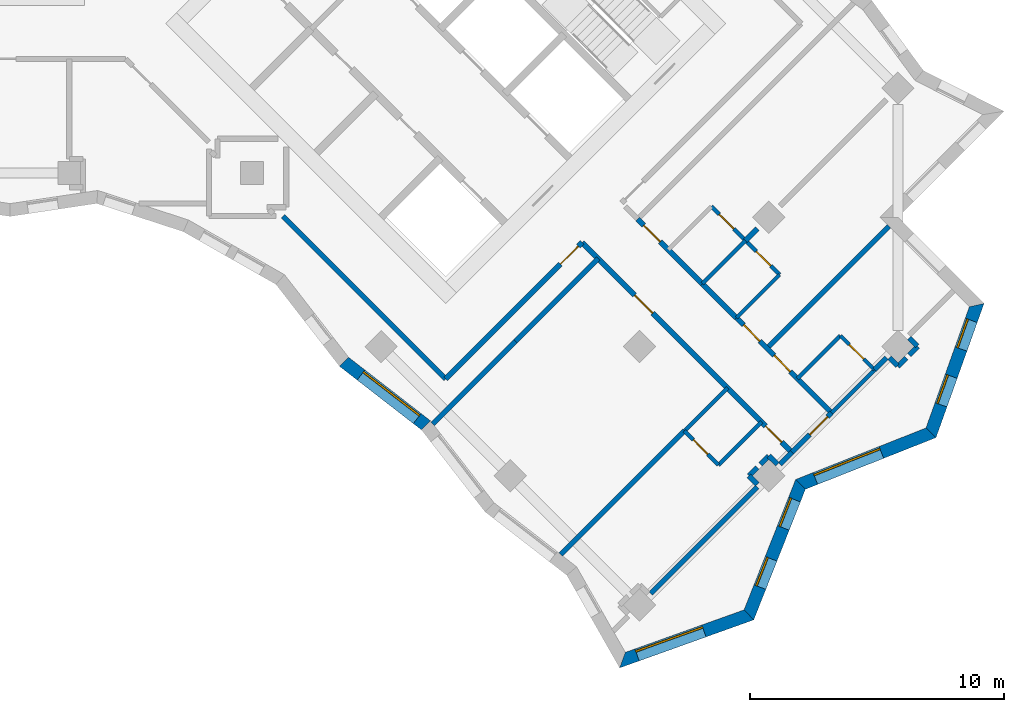
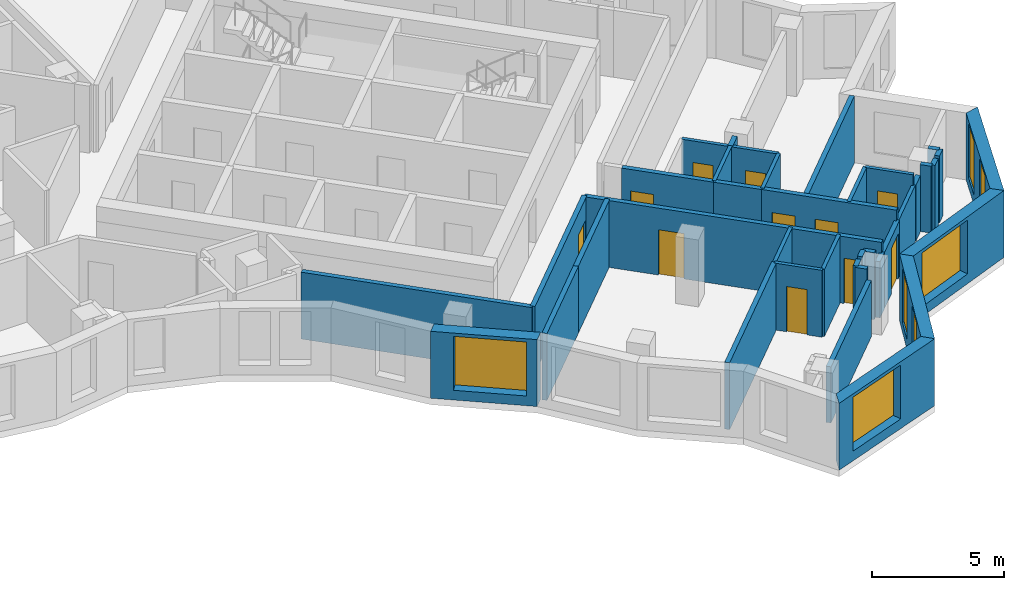
# One storey, part 8 of 12: 37 walls, 11 doors, 7 windows, 18 openings.
"""IFC4 building model written with IfcOpenShell, lengths in metres."""

from ifc_helpers import new_model, si_unit, direction, frame, frame_2d, origin, place, context, subcontext, project, spatial, polyline, rectangle, outline, extrude, material, layer, layer_set, type_object, element, fill, save


model = new_model("IFC4")

# Units and contexts
model_context = context("Model", 3, precision=1e-05, world=origin(), true_north=direction((0.0, 1.0)))
body_context = subcontext(model_context, "Body", "Model", "MODEL_VIEW")
ifc_project = project(units=[si_unit("LENGTHUNIT", "METRE"), si_unit("AREAUNIT", "SQUARE_METRE"), si_unit("VOLUMEUNIT", "CUBIC_METRE"), si_unit("PLANEANGLEUNIT", "RADIAN"), si_unit("MASSUNIT", "GRAM", prefix="KILO")], contexts=[model_context])

# Site, building, storey
site_placement = place(None, origin())
site = spatial("IfcSite", under=ifc_project, at=site_placement, CompositionType="ELEMENT")
building_placement = place(site_placement, origin())
building = spatial("IfcBuilding", under=site, at=building_placement, Name="Windrow Commons", CompositionType="ELEMENT")
storey_placement = place(building_placement, frame((0.0, 0.0, 159.2)))
storey = spatial("IfcBuildingStorey", under=building, at=storey_placement, Name="L43", CompositionType="ELEMENT", Elevation=159.2)

# Wall, opening, window
ifc_material_1 = material(Name="Brick masonry, red clay brick", Category="masonry")
ifc_layer_1 = layer(ifc_material_1, 0.5)
ifc_layer_set_1 = layer_set([ifc_layer_1], Name="Brick facade wall 500")
wall_type_1 = type_object("IfcWallType", Name="Brick facade wall 500", PredefinedType="SOLIDWALL", material=ifc_layer_set_1)
wall_1_placement = place(storey_placement, frame((93.8006, 24.0022, 0.0), z_axis=(0.0, 0.0, 1.0), x_axis=(0.9414496388, 0.3371536411, 0.0)))
wall_1 = element("IfcWall", 1, at=wall_1_placement, inside=storey, type_object=wall_type_1, Name="Brick facade wall L43 1", PredefinedType="SOLIDWALL", context=body_context, shape_type="SweptSolid", body=[
    extrude(outline(polyline([(-0.21, -0.25), (5.4066, -0.25), (5.1803, 0.25), (0.21, 0.25), (-0.21, -0.25)])), origin(), (0.0, 0.0, 1.0), 3.1),
])
opening_1_placement = place(wall_1_placement, frame((0.6104, 0.0, 0.45)))
opening_1 = element("IfcOpeningElement", 2, at=opening_1_placement, cuts=wall_1, Name="Opening W1U", PredefinedType="OPENING", context=body_context, shape_type="SweptSolid", body=[
    extrude(rectangle(XDim=2.8, YDim=2.5, at=frame_2d((1.4, 1.25))), frame((0.0, 0.26, 0.0), z_axis=(0.0, -1.0, 0.0), x_axis=(1.0, 0.0, 0.0)), (0.0, 0.0, 1.0), 0.52),
])
ifc_material_2 = material(Name="Clear float glass in anodised aluminium frame", Category="aluminium")
window_type_1 = type_object("IfcWindowType", Name="Window W1U bedroom 2800x2500", PartitioningType="SINGLE_PANEL", PredefinedType="WINDOW", material=ifc_material_2)
window_1_placement = place(opening_1_placement, origin())
window_1 = element("IfcWindow", 3, at=window_1_placement, inside=storey, type_object=window_type_1, Name="Window L43 1.1", OverallHeight=2.5, OverallWidth=2.8, PartitioningType="SINGLE_PANEL", PredefinedType="WINDOW", context=body_context, shape_type="SweptSolid", body=[
    extrude(rectangle(XDim=2.8, YDim=2.5, at=frame_2d((1.4, 1.25))), frame((0.0, 0.18, 0.0), z_axis=(0.0, -1.0, 0.0), x_axis=(1.0, 0.0, 0.0)), (0.0, 0.0, 1.0), 0.06),
])
fill(opening_1, window_1)

# Wall, openings, windows
wall_2_placement = place(storey_placement, frame((98.7841, 25.7869, 0.0), z_axis=(0.0, 0.0, 1.0), x_axis=(0.3677363656, 0.9299300863, 0.0)))
wall_2 = element("IfcWall", 4, at=wall_2_placement, inside=storey, type_object=wall_type_1, Name="Brick facade wall L43 2", PredefinedType="SOLIDWALL", context=body_context, shape_type="SweptSolid", body=[
    extrude(outline(polyline([(-0.1132, -0.25), (5.4209, -0.25), (5.6375, 0.25), (0.1132, 0.25), (-0.1132, -0.25)])), origin(), (0.0, 0.0, 1.0), 3.1),
])
opening_2_placement = place(wall_2_placement, frame((1.1766, 0.0, 0.45)))
opening_2 = element("IfcOpeningElement", 5, at=opening_2_placement, cuts=wall_2, Name="Opening W7E", PredefinedType="OPENING", context=body_context, shape_type="SweptSolid", body=[
    extrude(rectangle(XDim=1.2, YDim=2.5, at=frame_2d((0.6, 1.25))), frame((0.0, 0.26, 0.0), z_axis=(0.0, -1.0, 0.0), x_axis=(1.0, 0.0, 0.0)), (0.0, 0.0, 1.0), 0.52),
])
opening_3_placement = place(wall_2_placement, frame((3.6847, 0.0, 0.45)))
opening_3 = element("IfcOpeningElement", 6, at=opening_3_placement, cuts=wall_2, Name="Opening W7E", PredefinedType="OPENING", context=body_context, shape_type="SweptSolid", body=[
    extrude(rectangle(XDim=1.2, YDim=2.5, at=frame_2d((0.6, 1.25))), frame((0.0, 0.26, 0.0), z_axis=(0.0, -1.0, 0.0), x_axis=(1.0, 0.0, 0.0)), (0.0, 0.0, 1.0), 0.52),
])
ifc_material_3 = material(Name="Clear float glass in anodised aluminium frame", Category="aluminium")
window_type_2 = type_object("IfcWindowType", Name="Window W7 notch 1200x2500", PartitioningType="SINGLE_PANEL", PredefinedType="WINDOW", material=ifc_material_3)
window_2_placement = place(opening_2_placement, origin())
window_2 = element("IfcWindow", 7, at=window_2_placement, inside=storey, type_object=window_type_2, Name="Window L43 2.1", OverallHeight=2.5, OverallWidth=1.2, PartitioningType="SINGLE_PANEL", PredefinedType="WINDOW", context=body_context, shape_type="SweptSolid", body=[
    extrude(rectangle(XDim=1.2, YDim=2.5, at=frame_2d((0.6, 1.25))), frame((0.0, 0.18, 0.0), z_axis=(0.0, -1.0, 0.0), x_axis=(1.0, 0.0, 0.0)), (0.0, 0.0, 1.0), 0.06),
])
fill(opening_2, window_2)
window_3_placement = place(opening_3_placement, origin())
window_3 = element("IfcWindow", 8, at=window_3_placement, inside=storey, type_object=window_type_2, Name="Window L43 2.2", OverallHeight=2.5, OverallWidth=1.2, PartitioningType="SINGLE_PANEL", PredefinedType="WINDOW", context=body_context, shape_type="SweptSolid", body=[
    extrude(rectangle(XDim=1.2, YDim=2.5, at=frame_2d((0.6, 1.25))), frame((0.0, 0.18, 0.0), z_axis=(0.0, -1.0, 0.0), x_axis=(1.0, 0.0, 0.0)), (0.0, 0.0, 1.0), 0.06),
])
fill(opening_3, window_3)

# Wall, opening, window
wall_3_placement = place(storey_placement, frame((100.8174, 30.9287, 0.0), z_axis=(0.0, 0.0, 1.0), x_axis=(0.9299300863, 0.3677363656, 0.0)))
wall_3 = element("IfcWall", 9, at=wall_3_placement, inside=storey, type_object=wall_type_1, Name="Brick facade wall L43 3", PredefinedType="SOLIDWALL", context=body_context, shape_type="SweptSolid", body=[
    extrude(outline(polyline([(0.1083, -0.25), (5.6424, -0.25), (5.416, 0.25), (-0.1083, 0.25), (0.1083, -0.25)])), origin(), (0.0, 0.0, 1.0), 3.1),
])
opening_4_placement = place(wall_3_placement, frame((0.6263, 0.0, 0.45)))
opening_4 = element("IfcOpeningElement", 10, at=opening_4_placement, cuts=wall_3, Name="Opening W1U", PredefinedType="OPENING", context=body_context, shape_type="SweptSolid", body=[
    extrude(rectangle(XDim=2.8, YDim=2.5, at=frame_2d((1.4, 1.25))), frame((0.0, 0.26, 0.0), z_axis=(0.0, -1.0, 0.0), x_axis=(1.0, 0.0, 0.0)), (0.0, 0.0, 1.0), 0.52),
])
window_4_placement = place(opening_4_placement, origin())
window_4 = element("IfcWindow", 11, at=window_4_placement, inside=storey, type_object=window_type_1, Name="Window L43 3.1", OverallHeight=2.5, OverallWidth=2.8, PartitioningType="SINGLE_PANEL", PredefinedType="WINDOW", context=body_context, shape_type="SweptSolid", body=[
    extrude(rectangle(XDim=2.8, YDim=2.5, at=frame_2d((1.4, 1.25))), frame((0.0, 0.18, 0.0), z_axis=(0.0, -1.0, 0.0), x_axis=(1.0, 0.0, 0.0)), (0.0, 0.0, 1.0), 0.06),
])
fill(opening_4, window_4)

# Wall, openings, windows
wall_4_placement = place(storey_placement, frame((105.9592, 32.962, 0.0), z_axis=(0.0, 0.0, 1.0), x_axis=(0.3371362761, 0.9414558574, 0.0)))
wall_4 = element("IfcWall", 12, at=wall_4_placement, inside=storey, type_object=wall_type_1, Name="Brick facade wall L43 4", PredefinedType="SOLIDWALL", context=body_context, shape_type="SweptSolid", body=[
    extrude(outline(polyline([(-0.1132, -0.25), (5.5034, -0.25), (5.1867, 0.25), (0.1132, 0.25), (-0.1132, -0.25)])), origin(), (0.0, 0.0, 1.0), 3.1),
])
opening_5_placement = place(wall_4_placement, frame((1.1701, 0.0, 0.45)))
opening_5 = element("IfcOpeningElement", 13, at=opening_5_placement, cuts=wall_4, Name="Opening W7E", PredefinedType="OPENING", context=body_context, shape_type="SweptSolid", body=[
    extrude(rectangle(XDim=1.2, YDim=2.5, at=frame_2d((0.6, 1.25))), frame((0.0, 0.26, 0.0), z_axis=(0.0, -1.0, 0.0), x_axis=(1.0, 0.0, 0.0)), (0.0, 0.0, 1.0), 0.52),
])
opening_6_placement = place(wall_4_placement, frame((3.5068, 0.0, 0.45)))
opening_6 = element("IfcOpeningElement", 14, at=opening_6_placement, cuts=wall_4, Name="Opening W7E", PredefinedType="OPENING", context=body_context, shape_type="SweptSolid", body=[
    extrude(rectangle(XDim=1.2, YDim=2.5, at=frame_2d((0.6, 1.25))), frame((0.0, 0.26, 0.0), z_axis=(0.0, -1.0, 0.0), x_axis=(1.0, 0.0, 0.0)), (0.0, 0.0, 1.0), 0.52),
])
window_5_placement = place(opening_5_placement, origin())
window_5 = element("IfcWindow", 15, at=window_5_placement, inside=storey, type_object=window_type_2, Name="Window L43 4.1", OverallHeight=2.5, OverallWidth=1.2, PartitioningType="SINGLE_PANEL", PredefinedType="WINDOW", context=body_context, shape_type="SweptSolid", body=[
    extrude(rectangle(XDim=1.2, YDim=2.5, at=frame_2d((0.6, 1.25))), frame((0.0, 0.18, 0.0), z_axis=(0.0, -1.0, 0.0), x_axis=(1.0, 0.0, 0.0)), (0.0, 0.0, 1.0), 0.06),
])
fill(opening_5, window_5)
window_6_placement = place(opening_6_placement, origin())
window_6 = element("IfcWindow", 16, at=window_6_placement, inside=storey, type_object=window_type_2, Name="Window L43 4.2", OverallHeight=2.5, OverallWidth=1.2, PartitioningType="SINGLE_PANEL", PredefinedType="WINDOW", context=body_context, shape_type="SweptSolid", body=[
    extrude(rectangle(XDim=1.2, YDim=2.5, at=frame_2d((0.6, 1.25))), frame((0.0, 0.18, 0.0), z_axis=(0.0, -1.0, 0.0), x_axis=(1.0, 0.0, 0.0)), (0.0, 0.0, 1.0), 0.06),
])
fill(opening_6, window_6)

# Wall, opening, window
wall_5_placement = place(storey_placement, frame((82.8284, 35.7598, 0.0), z_axis=(0.0, 0.0, 1.0), x_axis=(0.7901609986, -0.6128993362, 0.0)))
wall_5 = element("IfcWall", 17, at=wall_5_placement, inside=storey, type_object=wall_type_1, Name="Brick facade wall L43 52", PredefinedType="SOLIDWALL", context=body_context, shape_type="SweptSolid", body=[
    extrude(outline(polyline([(-0.0316, -0.25), (4.0528, -0.25), (4.116, 0.25), (0.0316, 0.25), (-0.0316, -0.25)])), origin(), (0.0, 0.0, 1.0), 3.1),
])
opening_7_placement = place(wall_5_placement, frame((0.8489, 0.0, 0.45)))
opening_7 = element("IfcOpeningElement", 18, at=opening_7_placement, cuts=wall_5, Name="Opening W1U", PredefinedType="OPENING", context=body_context, shape_type="SweptSolid", body=[
    extrude(rectangle(XDim=2.8, YDim=2.5, at=frame_2d((1.4, 1.25))), frame((0.0, 0.26, 0.0), z_axis=(0.0, -1.0, 0.0), x_axis=(1.0, 0.0, 0.0)), (0.0, 0.0, 1.0), 0.52),
])
window_7_placement = place(opening_7_placement, origin())
window_7 = element("IfcWindow", 19, at=window_7_placement, inside=storey, type_object=window_type_1, Name="Window L43 52.1", OverallHeight=2.5, OverallWidth=2.8, PartitioningType="SINGLE_PANEL", PredefinedType="WINDOW", context=body_context, shape_type="SweptSolid", body=[
    extrude(rectangle(XDim=2.8, YDim=2.5, at=frame_2d((1.4, 1.25))), frame((0.0, 0.18, 0.0), z_axis=(0.0, -1.0, 0.0), x_axis=(1.0, 0.0, 0.0)), (0.0, 0.0, 1.0), 0.06),
])
fill(opening_7, window_7)

# Wall, openings, doors
ifc_material_4 = material(Name="Blockwork partition", Category="masonry")
ifc_layer_2 = layer(ifc_material_4, 0.2)
ifc_layer_set_2 = layer_set([ifc_layer_2], Name="IW-CORRIDOR-200")
wall_type_2 = type_object("IfcWallType", Name="IW-CORRIDOR-200", PredefinedType="PARTITIONING", material=ifc_layer_set_2)
wall_6_placement = place(storey_placement, frame((92.2087, 40.4587, 0.0), z_axis=(0.0, 0.0, 1.0), x_axis=(0.7071067812, -0.7071067812, 0.0)))
wall_6 = element("IfcWall", 20, at=wall_6_placement, inside=storey, type_object=wall_type_2, Name="W-L43-W009", PredefinedType="PARTITIONING", context=body_context, shape_type="SweptSolid", body=[
    extrude(rectangle(XDim=11.6984, YDim=0.2, at=frame_2d((5.8492, 0.0))), origin(), (0.0, 0.0, 1.0), 3.1),
])
opening_8_placement = place(wall_6_placement, frame((2.9309, 0.0, 0.0)))
opening_8 = element("IfcOpeningElement", 21, at=opening_8_placement, cuts=wall_6, Name="Opening D310F", PredefinedType="OPENING", context=body_context, shape_type="SweptSolid", body=[
    extrude(rectangle(XDim=1.0, YDim=2.1, at=frame_2d((0.5, 1.05))), frame((0.0, 0.11, 0.0), z_axis=(0.0, -1.0, 0.0), x_axis=(1.0, 0.0, 0.0)), (0.0, 0.0, 1.0), 0.22),
])
opening_9_placement = place(wall_6_placement, frame((10.2234, 0.0, 0.0)))
opening_9 = element("IfcOpeningElement", 22, at=opening_9_placement, cuts=wall_6, Name="Opening D109S", PredefinedType="OPENING", context=body_context, shape_type="SweptSolid", body=[
    extrude(rectangle(XDim=0.9, YDim=2.1, at=frame_2d((0.45, 1.05))), frame((0.0, 0.11, 0.0), z_axis=(0.0, -1.0, 0.0), x_axis=(1.0, 0.0, 0.0)), (0.0, 0.0, 1.0), 0.22),
])
ifc_material_5 = material(Name="Timber door leaf", Category="wood")
door_type_1 = type_object("IfcDoorType", Name="DT-AMENITY-1000", OperationType="SINGLE_SWING_LEFT", PredefinedType="DOOR", material=ifc_material_5)
door_1_placement = place(opening_8_placement, origin())
door_1 = element("IfcDoor", 23, at=door_1_placement, inside=storey, type_object=door_type_1, Name="D-L43-D047", OperationType="SINGLE_SWING_LEFT", OverallHeight=2.1, OverallWidth=1.0, PredefinedType="DOOR", context=body_context, shape_type="SweptSolid", body=[
    extrude(rectangle(XDim=1.0, YDim=2.1, at=frame_2d((0.5, 1.05))), frame((0.0, 0.025, 0.0), z_axis=(0.0, -1.0, 0.0), x_axis=(1.0, 0.0, 0.0)), (0.0, 0.0, 1.0), 0.05),
])
fill(opening_8, door_1)
ifc_material_6 = material(Name="Timber door leaf", Category="wood")
door_type_2 = type_object("IfcDoorType", Name="DT-BEDROOM-900", OperationType="SINGLE_SWING_LEFT", PredefinedType="DOOR", material=ifc_material_6)
door_2_placement = place(opening_9_placement, origin())
door_2 = element("IfcDoor", 24, at=door_2_placement, inside=storey, type_object=door_type_2, Name="D-L43-D048", OperationType="SINGLE_SWING_LEFT", OverallHeight=2.1, OverallWidth=0.9, PredefinedType="DOOR", context=body_context, shape_type="SweptSolid", body=[
    extrude(rectangle(XDim=0.9, YDim=2.1, at=frame_2d((0.45, 1.05))), frame((0.0, 0.025, 0.0), z_axis=(0.0, -1.0, 0.0), x_axis=(1.0, 0.0, 0.0)), (0.0, 0.0, 1.0), 0.05),
])
fill(opening_9, door_2)

# Wall
wall_7_placement = place(storey_placement, frame((80.4227, 41.4967, 0.0), z_axis=(0.0, 0.0, 1.0), x_axis=(0.7071067812, -0.7071067812, 0.0)))
element("IfcWall", 25, at=wall_7_placement, inside=storey, type_object=wall_type_2, Name="W-L43-W014", PredefinedType="PARTITIONING", context=body_context, shape_type="SweptSolid", body=[
    extrude(rectangle(XDim=9.0651, YDim=0.2, at=frame_2d((4.5325, 0.0))), origin(), (0.0, 0.0, 1.0), 3.1),
])

# Wall, opening, door
wall_8_placement = place(storey_placement, frame((86.837, 35.091, 0.0), z_axis=(0.0, 0.0, 1.0), x_axis=(0.7071067812, 0.7071067812, 0.0)))
wall_8 = element("IfcWall", 26, at=wall_8_placement, inside=storey, type_object=wall_type_2, Name="W-L43-W015", PredefinedType="PARTITIONING", context=body_context, shape_type="SweptSolid", body=[
    extrude(rectangle(XDim=7.5972, YDim=0.2, at=frame_2d((3.7986, 0.0))), origin(), (0.0, 0.0, 1.0), 3.1),
])
opening_10_placement = place(wall_8_placement, frame((6.3951, 0.0, 0.0)))
opening_10 = element("IfcOpeningElement", 27, at=opening_10_placement, cuts=wall_8, Name="Opening D310F", PredefinedType="OPENING", context=body_context, shape_type="SweptSolid", body=[
    extrude(rectangle(XDim=1.0, YDim=2.1, at=frame_2d((0.5, 1.05))), frame((0.0, 0.11, 0.0), z_axis=(0.0, -1.0, 0.0), x_axis=(1.0, 0.0, 0.0)), (0.0, 0.0, 1.0), 0.22),
])
door_3_placement = place(opening_10_placement, origin())
door_3 = element("IfcDoor", 28, at=door_3_placement, inside=storey, type_object=door_type_1, Name="D-L43-D046", OperationType="SINGLE_SWING_LEFT", OverallHeight=2.1, OverallWidth=1.0, PredefinedType="DOOR", context=body_context, shape_type="SweptSolid", body=[
    extrude(rectangle(XDim=1.0, YDim=2.1, at=frame_2d((0.5, 1.05))), frame((0.0, 0.025, 0.0), z_axis=(0.0, -1.0, 0.0), x_axis=(1.0, 0.0, 0.0)), (0.0, 0.0, 1.0), 0.05),
])
fill(opening_10, door_3)

# Wall, openings, doors
wall_9_placement = place(storey_placement, frame((98.2954, 37.4974, 0.0), z_axis=(0.0, 0.0, 1.0), x_axis=(0.7071067812, -0.7071067812, 0.0)))
wall_9 = element("IfcWall", 29, at=wall_9_placement, inside=storey, type_object=wall_type_2, Name="W-L43-W029", PredefinedType="PARTITIONING", context=body_context, shape_type="SweptSolid", body=[
    extrude(rectangle(XDim=5.3005, YDim=0.2, at=frame_2d((2.6503, 0.0))), origin(), (0.0, 0.0, 1.0), 3.1),
])
opening_11_placement = place(wall_9_placement, frame((0.4005, 0.0, 0.0)))
opening_11 = element("IfcOpeningElement", 30, at=opening_11_placement, cuts=wall_9, Name="Opening D109S", PredefinedType="OPENING", context=body_context, shape_type="SweptSolid", body=[
    extrude(rectangle(XDim=0.9, YDim=2.1, at=frame_2d((0.45, 1.05))), frame((0.0, 0.11, 0.0), z_axis=(0.0, -1.0, 0.0), x_axis=(1.0, 0.0, 0.0)), (0.0, 0.0, 1.0), 0.22),
])
opening_12_placement = place(wall_9_placement, frame((2.1005, 0.0, 0.0)))
opening_12 = element("IfcOpeningElement", 31, at=opening_12_placement, cuts=wall_9, Name="Opening D109S", PredefinedType="OPENING", context=body_context, shape_type="SweptSolid", body=[
    extrude(rectangle(XDim=0.9, YDim=2.1, at=frame_2d((0.45, 1.05))), frame((0.0, 0.11, 0.0), z_axis=(0.0, -1.0, 0.0), x_axis=(1.0, 0.0, 0.0)), (0.0, 0.0, 1.0), 0.22),
])
door_4_placement = place(opening_11_placement, origin())
door_4 = element("IfcDoor", 32, at=door_4_placement, inside=storey, type_object=door_type_2, Name="D-L43-D050", OperationType="SINGLE_SWING_LEFT", OverallHeight=2.1, OverallWidth=0.9, PredefinedType="DOOR", context=body_context, shape_type="SweptSolid", body=[
    extrude(rectangle(XDim=0.9, YDim=2.1, at=frame_2d((0.45, 1.05))), frame((0.0, 0.025, 0.0), z_axis=(0.0, -1.0, 0.0), x_axis=(1.0, 0.0, 0.0)), (0.0, 0.0, 1.0), 0.05),
])
fill(opening_11, door_4)
door_5_placement = place(opening_12_placement, origin())
door_5 = element("IfcDoor", 33, at=door_5_placement, inside=storey, type_object=door_type_2, Name="D-L43-D052", OperationType="SINGLE_SWING_RIGHT", OverallHeight=2.1, OverallWidth=0.9, PredefinedType="DOOR", context=body_context, shape_type="SweptSolid", body=[
    extrude(rectangle(XDim=0.9, YDim=2.1, at=frame_2d((0.45, 1.05))), frame((0.0, 0.025, 0.0), z_axis=(0.0, -1.0, 0.0), x_axis=(1.0, 0.0, 0.0)), (0.0, 0.0, 1.0), 0.05),
])
fill(opening_12, door_5)

# Wall, opening, door
wall_10_placement = place(storey_placement, frame((94.3993, 41.3793, 0.0), z_axis=(0.0, 0.0, 1.0), x_axis=(0.7071067812, -0.7071067812, 0.0)))
wall_10 = element("IfcWall", 34, at=wall_10_placement, inside=storey, type_object=wall_type_2, Name="W-L43-W046", PredefinedType="PARTITIONING", context=body_context, shape_type="SweptSolid", body=[
    extrude(rectangle(XDim=3.6006, YDim=0.2, at=frame_2d((1.8003, 0.0))), origin(), (0.0, 0.0, 1.0), 3.1),
])
opening_13_placement = place(wall_10_placement, frame((0.3504, 0.0, 0.0)))
opening_13 = element("IfcOpeningElement", 35, at=opening_13_placement, cuts=wall_10, Name="Opening D109S", PredefinedType="OPENING", context=body_context, shape_type="SweptSolid", body=[
    extrude(rectangle(XDim=0.9, YDim=2.1, at=frame_2d((0.45, 1.05))), frame((0.0, 0.11, 0.0), z_axis=(0.0, -1.0, 0.0), x_axis=(1.0, 0.0, 0.0)), (0.0, 0.0, 1.0), 0.22),
])
door_6_placement = place(opening_13_placement, origin())
door_6 = element("IfcDoor", 36, at=door_6_placement, inside=storey, type_object=door_type_2, Name="D-L43-D042", OperationType="SINGLE_SWING_RIGHT", OverallHeight=2.1, OverallWidth=0.9, PredefinedType="DOOR", context=body_context, shape_type="SweptSolid", body=[
    extrude(rectangle(XDim=0.9, YDim=2.1, at=frame_2d((0.45, 1.05))), frame((0.0, 0.025, 0.0), z_axis=(0.0, -1.0, 0.0), x_axis=(1.0, 0.0, 0.0)), (0.0, 0.0, 1.0), 0.05),
])
fill(opening_13, door_6)

wall_11_placement = place(storey_placement, frame((100.4832, 32.1908, 0.0), z_axis=(0.0, 0.0, 1.0), x_axis=(0.7071067812, 0.7071067812, 0.0)))
wall_11 = element("IfcWall", 37, at=wall_11_placement, inside=storey, type_object=wall_type_2, Name="W-L43-W110", PredefinedType="PARTITIONING", context=body_context, shape_type="SweptSolid", body=[
    extrude(rectangle(XDim=2.1977, YDim=0.2, at=frame_2d((1.0989, 0.0))), origin(), (0.0, 0.0, 1.0), 2.6),
])
opening_14_placement = place(wall_11_placement, frame((0.9865, 0.0, 0.0)))
opening_14 = element("IfcOpeningElement", 38, at=opening_14_placement, cuts=wall_11, Name="Opening D310F", PredefinedType="OPENING", context=body_context, shape_type="SweptSolid", body=[
    extrude(rectangle(XDim=1.0, YDim=2.1, at=frame_2d((0.5, 1.05))), frame((0.0, 0.11, 0.0), z_axis=(0.0, -1.0, 0.0), x_axis=(1.0, 0.0, 0.0)), (0.0, 0.0, 1.0), 0.22),
])
door_7_placement = place(opening_14_placement, origin())
door_7 = element("IfcDoor", 39, at=door_7_placement, inside=storey, type_object=door_type_1, Name="D-L43-D054", OperationType="SINGLE_SWING_RIGHT", OverallHeight=2.1, OverallWidth=1.0, PredefinedType="DOOR", context=body_context, shape_type="SweptSolid", body=[
    extrude(rectangle(XDim=1.0, YDim=2.1, at=frame_2d((0.5, 1.05))), frame((0.0, 0.025, 0.0), z_axis=(0.0, -1.0, 0.0), x_axis=(1.0, 0.0, 0.0)), (0.0, 0.0, 1.0), 0.05),
])
fill(opening_14, door_7)

# Wall
wall_12_placement = place(storey_placement, frame((96.9458, 38.8338, 0.0), z_axis=(0.0, 0.0, 1.0), x_axis=(0.7076330979, -0.7065800724, 0.0)))
element("IfcWall", 40, at=wall_12_placement, inside=storey, type_object=wall_type_2, Name="W-L43-W126", PredefinedType="PARTITIONING", context=body_context, shape_type="SweptSolid", body=[
    extrude(rectangle(XDim=1.8993, YDim=0.2, at=frame_2d((0.9496, 0.0))), origin(), (0.0, 0.0, 1.0), 3.1),
])

# Wall, openings, doors
ifc_material_7 = material(Name="Blockwork partition", Category="masonry")
ifc_layer_3 = layer(ifc_material_7, 0.15)
ifc_layer_set_3 = layer_set([ifc_layer_3], Name="IW-ENSUITE-150")
wall_type_3 = type_object("IfcWallType", Name="IW-ENSUITE-150", PredefinedType="PARTITIONING", material=ifc_layer_set_3)
wall_13_placement = place(storey_placement, frame((97.3054, 41.8814, 0.0), z_axis=(0.0, 0.0, 1.0), x_axis=(0.7067382634, -0.707475107, 0.0)))
wall_13 = element("IfcWall", 41, at=wall_13_placement, inside=storey, type_object=wall_type_3, Name="W-L43-W045", PredefinedType="PARTITIONING", context=body_context, shape_type="SweptSolid", body=[
    extrude(rectangle(XDim=3.8, YDim=0.15, at=frame_2d((1.9, 0.0))), origin(), (0.0, 0.0, 1.0), 3.1),
])
opening_15_placement = place(wall_13_placement, frame((0.4454, 0.0, 0.0)))
opening_15 = element("IfcOpeningElement", 42, at=opening_15_placement, cuts=wall_13, Name="Opening D208N", PredefinedType="OPENING", context=body_context, shape_type="SweptSolid", body=[
    extrude(rectangle(XDim=0.8, YDim=2.1, at=frame_2d((0.4, 1.05))), frame((0.0, 0.085, 0.0), z_axis=(0.0, -1.0, 0.0), x_axis=(1.0, 0.0, 0.0)), (0.0, 0.0, 1.0), 0.17),
])
opening_16_placement = place(wall_13_placement, frame((2.5074, 0.0, 0.0)))
opening_16 = element("IfcOpeningElement", 43, at=opening_16_placement, cuts=wall_13, Name="Opening D208N", PredefinedType="OPENING", context=body_context, shape_type="SweptSolid", body=[
    extrude(rectangle(XDim=0.8, YDim=2.1, at=frame_2d((0.4, 1.05))), frame((0.0, 0.085, 0.0), z_axis=(0.0, -1.0, 0.0), x_axis=(1.0, 0.0, 0.0)), (0.0, 0.0, 1.0), 0.17),
])
ifc_material_8 = material(Name="Timber door leaf", Category="wood")
door_type_3 = type_object("IfcDoorType", Name="DT-ENSUITE-800", OperationType="SINGLE_SWING_LEFT", PredefinedType="DOOR", material=ifc_material_8)
door_8_placement = place(opening_15_placement, origin())
door_8 = element("IfcDoor", 44, at=door_8_placement, inside=storey, type_object=door_type_3, Name="D-L43-D043", OperationType="SINGLE_SWING_RIGHT", OverallHeight=2.1, OverallWidth=0.8, PredefinedType="DOOR", context=body_context, shape_type="SweptSolid", body=[
    extrude(rectangle(XDim=0.8, YDim=2.1, at=frame_2d((0.4, 1.05))), frame((0.0, 0.025, 0.0), z_axis=(0.0, -1.0, 0.0), x_axis=(1.0, 0.0, 0.0)), (0.0, 0.0, 1.0), 0.05),
])
fill(opening_15, door_8)
door_9_placement = place(opening_16_placement, origin())
door_9 = element("IfcDoor", 45, at=door_9_placement, inside=storey, type_object=door_type_3, Name="D-L43-D051", OperationType="SINGLE_SWING_RIGHT", OverallHeight=2.1, OverallWidth=0.8, PredefinedType="DOOR", context=body_context, shape_type="SweptSolid", body=[
    extrude(rectangle(XDim=0.8, YDim=2.1, at=frame_2d((0.4, 1.05))), frame((0.0, 0.025, 0.0), z_axis=(0.0, -1.0, 0.0), x_axis=(1.0, 0.0, 0.0)), (0.0, 0.0, 1.0), 0.05),
])
fill(opening_16, door_9)

# Walls
for number, where, z_axis, x_axis, name in (
    (46, (96.947, 38.837, 0.0), (0.0, 0.0, 1.0), (0.7071067812, 0.7071067812, 0.0), "W-L43-W071"),
    (47, (97.5831, 31.6949, 0.0), (0.0, 0.0, 1.0), (0.7071067812, 0.7071067812, 0.0), "W-L43-W072"),
):
    element("IfcWall", number, at=place(storey_placement, frame(where, z_axis=z_axis, x_axis=x_axis)), inside=storey, type_object=wall_type_3, Name=name, PredefinedType="PARTITIONING", context=body_context, shape_type="SweptSolid", body=[
        extrude(rectangle(XDim=2.4013, YDim=0.15, at=frame_2d((1.2006, 0.0))), origin(), (0.0, 0.0, 1.0), 3.1),
    ])
for number, where, z_axis, x_axis, name in (
    (48, (100.6933, 35.0927, 0.0), (0.0, 0.0, 1.0), (0.7075233388, 0.706689978, 0.0), "W-L43-W099"),
    (49, (96.2449, 33.0351, 0.0), (0.0, 0.0, 1.0), (0.706689978, 0.7075233388, 0.0), "W-L43-W100"),
):
    element("IfcWall", number, at=place(storey_placement, frame(where, z_axis=z_axis, x_axis=x_axis)), inside=storey, type_object=wall_type_3, Name=name, PredefinedType="PARTITIONING", context=body_context, shape_type="SweptSolid", body=[
        extrude(rectangle(XDim=2.3999, YDim=0.15, at=frame_2d((1.2, 0.0))), origin(), (0.0, 0.0, 1.0), 3.1),
    ])
wall_14_placement = place(storey_placement, frame((98.2915, 37.4945, 0.0), z_axis=(0.0, 0.0, 1.0), x_axis=(0.7071067812, 0.7071067812, 0.0)))
element("IfcWall", 50, at=wall_14_placement, inside=storey, type_object=wall_type_3, Name="W-L43-W101", PredefinedType="PARTITIONING", context=body_context, shape_type="SweptSolid", body=[
    extrude(rectangle(XDim=2.3985, YDim=0.15, at=frame_2d((1.1992, 0.0))), origin(), (0.0, 0.0, 1.0), 3.1),
])
wall_15_placement = place(storey_placement, frame((102.0392, 33.7468, 0.0), z_axis=(0.0, 0.0, 1.0), x_axis=(0.7071067812, 0.7071067812, 0.0)))
element("IfcWall", 51, at=wall_15_placement, inside=storey, type_object=wall_type_3, Name="W-L43-W102", PredefinedType="PARTITIONING", context=body_context, shape_type="SweptSolid", body=[
    extrude(rectangle(XDim=2.3985, YDim=0.15, at=frame_2d((1.1992, 0.0))), origin(), (0.0, 0.0, 1.0), 2.6),
])

# Wall, opening, door
wall_16_placement = place(storey_placement, frame((102.3943, 36.7863, 0.0), z_axis=(0.0, 0.0, 1.0), x_axis=(0.7065800724, -0.7076330979, 0.0)))
wall_16 = element("IfcWall", 52, at=wall_16_placement, inside=storey, type_object=wall_type_3, Name="W-L43-W127", PredefinedType="PARTITIONING", context=body_context, shape_type="SweptSolid", body=[
    extrude(rectangle(XDim=1.8993, YDim=0.15, at=frame_2d((0.9496, 0.0))), origin(), (0.0, 0.0, 1.0), 3.1),
])
opening_17_placement = place(wall_16_placement, frame((0.4924, 0.0, 0.0)))
opening_17 = element("IfcOpeningElement", 53, at=opening_17_placement, cuts=wall_16, Name="Opening D208N", PredefinedType="OPENING", context=body_context, shape_type="SweptSolid", body=[
    extrude(rectangle(XDim=0.8, YDim=2.1, at=frame_2d((0.4, 1.05))), frame((0.0, 0.085, 0.0), z_axis=(0.0, -1.0, 0.0), x_axis=(1.0, 0.0, 0.0)), (0.0, 0.0, 1.0), 0.17),
])
door_10_placement = place(opening_17_placement, origin())
door_10 = element("IfcDoor", 54, at=door_10_placement, inside=storey, type_object=door_type_3, Name="D-L43-D053", OperationType="SINGLE_SWING_RIGHT", OverallHeight=2.1, OverallWidth=0.8, PredefinedType="DOOR", context=body_context, shape_type="SweptSolid", body=[
    extrude(rectangle(XDim=0.8, YDim=2.1, at=frame_2d((0.4, 1.05))), frame((0.0, 0.025, 0.0), z_axis=(0.0, -1.0, 0.0), x_axis=(1.0, 0.0, 0.0)), (0.0, 0.0, 1.0), 0.05),
])
fill(opening_17, door_10)

wall_17_placement = place(storey_placement, frame((96.2434, 33.0394, 0.0), z_axis=(0.0, 0.0, 1.0), x_axis=(0.7065800724, -0.7076330979, 0.0)))
wall_17 = element("IfcWall", 55, at=wall_17_placement, inside=storey, type_object=wall_type_3, Name="W-L43-W128", PredefinedType="PARTITIONING", context=body_context, shape_type="SweptSolid", body=[
    extrude(rectangle(XDim=1.8993, YDim=0.15, at=frame_2d((0.9496, 0.0))), origin(), (0.0, 0.0, 1.0), 3.1),
])
opening_18_placement = place(wall_17_placement, frame((0.5045, 0.0, 0.0)))
opening_18 = element("IfcOpeningElement", 56, at=opening_18_placement, cuts=wall_17, Name="Opening D208N", PredefinedType="OPENING", context=body_context, shape_type="SweptSolid", body=[
    extrude(rectangle(XDim=0.8, YDim=2.1, at=frame_2d((0.4, 1.05))), frame((0.0, 0.085, 0.0), z_axis=(0.0, -1.0, 0.0), x_axis=(1.0, 0.0, 0.0)), (0.0, 0.0, 1.0), 0.17),
])
door_11_placement = place(opening_18_placement, origin())
door_11 = element("IfcDoor", 57, at=door_11_placement, inside=storey, type_object=door_type_3, Name="D-L43-D049", OperationType="SINGLE_SWING_RIGHT", OverallHeight=2.1, OverallWidth=0.8, PredefinedType="DOOR", context=body_context, shape_type="SweptSolid", body=[
    extrude(rectangle(XDim=0.8, YDim=2.1, at=frame_2d((0.4, 1.05))), frame((0.0, 0.025, 0.0), z_axis=(0.0, -1.0, 0.0), x_axis=(1.0, 0.0, 0.0)), (0.0, 0.0, 1.0), 0.05),
])
fill(opening_18, door_11)

# Walls
ifc_material_9 = material(Name="Blockwork partition", Category="masonry")
ifc_layer_4 = layer(ifc_material_9, 0.2)
ifc_layer_set_4 = layer_set([ifc_layer_4], Name="IW-PARTY-200")
wall_type_4 = type_object("IfcWallType", Name="IW-PARTY-200", PredefinedType="PARTITIONING", material=ifc_layer_set_4)
wall_18_placement = place(storey_placement, frame((91.366, 28.1683, 0.0), z_axis=(0.0, 0.0, 1.0), x_axis=(0.7072591319, 0.7069543977, 0.0)))
element("IfcWall", 58, at=wall_18_placement, inside=storey, type_object=wall_type_4, Name="W-L43-W017", PredefinedType="PARTITIONING", context=body_context, shape_type="SweptSolid", body=[
    extrude(rectangle(XDim=6.8913, YDim=0.2, at=frame_2d((3.4457, 0.0))), origin(), (0.0, 0.0, 1.0), 3.1),
])
wall_19_placement = place(storey_placement, frame((99.4936, 36.2924, 0.0), z_axis=(0.0, 0.0, 1.0), x_axis=(0.7071067812, 0.7071067812, 0.0)))
element("IfcWall", 59, at=wall_19_placement, inside=storey, type_object=wall_type_4, Name="W-L43-W019", PredefinedType="PARTITIONING", context=body_context, shape_type="SweptSolid", body=[
    extrude(rectangle(XDim=6.7993, YDim=0.2, at=frame_2d((3.3996, 0.0))), origin(), (0.0, 0.0, 1.0), 3.1),
])
wall_20_placement = place(storey_placement, frame((94.9232, 26.6308, 0.0), z_axis=(0.0, 0.0, 1.0), x_axis=(0.7071067812, 0.7071067812, 0.0)))
element("IfcWall", 60, at=wall_20_placement, inside=storey, type_object=wall_type_4, Name="W-L43-W028", PredefinedType="PARTITIONING", context=body_context, shape_type="SweptSolid", body=[
    extrude(rectangle(XDim=5.9256, YDim=0.2, at=frame_2d((2.9628, 0.0))), origin(), (0.0, 0.0, 1.0), 2.6),
])
wall_21_placement = place(storey_placement, frame((89.5856, 36.5704, 0.0), z_axis=(0.0, 0.0, 1.0), x_axis=(0.7073237184, 0.7068897774, 0.0)))
element("IfcWall", 61, at=wall_21_placement, inside=storey, type_object=wall_type_4, Name="W-L43-W034", PredefinedType="PARTITIONING", context=body_context, shape_type="SweptSolid", body=[
    extrude(rectangle(XDim=4.6089, YDim=0.2, at=frame_2d((2.3045, 0.0))), origin(), (0.0, 0.0, 1.0), 3.1),
])
wall_22_placement = place(storey_placement, frame((86.3299, 33.311, 0.0), z_axis=(0.0, 0.0, 1.0), x_axis=(0.7070959278, 0.7071176345, 0.0)))
element("IfcWall", 62, at=wall_22_placement, inside=storey, type_object=wall_type_4, Name="W-L43-W035", PredefinedType="PARTITIONING", context=body_context, shape_type="SweptSolid", body=[
    extrude(rectangle(XDim=4.6069, YDim=0.2, at=frame_2d((2.3035, 0.0))), origin(), (0.0, 0.0, 1.0), 3.1),
])
wall_23_placement = place(storey_placement, frame((103.7352, 35.4428, 0.0), z_axis=(0.0, 0.0, 1.0), x_axis=(0.7071067812, 0.7071067812, 0.0)))
element("IfcWall", 63, at=wall_23_placement, inside=storey, type_object=wall_type_4, Name="W-L43-W159", PredefinedType="PARTITIONING", context=body_context, shape_type="SweptSolid", body=[
    extrude(rectangle(XDim=0.6647, YDim=0.2, at=frame_2d((0.3323, 0.0))), origin(), (0.0, 0.0, 1.0), 2.6),
])
wall_24_placement = place(storey_placement, frame((98.645, 40.535, 0.0), z_axis=(0.0, 0.0, 1.0), x_axis=(0.7071067812, 0.7071067812, 0.0)))
element("IfcWall", 64, at=wall_24_placement, inside=storey, type_object=wall_type_4, Name="W-L43-W160", PredefinedType="PARTITIONING", context=body_context, shape_type="SweptSolid", body=[
    extrude(rectangle(XDim=0.6647, YDim=0.2, at=frame_2d((0.3323, 0.0))), origin(), (0.0, 0.0, 1.0), 3.1),
])
wall_25_placement = place(storey_placement, frame((100.0132, 31.7208, 0.0), z_axis=(0.0, 0.0, 1.0), x_axis=(0.7071067812, 0.7071067812, 0.0)))
element("IfcWall", 65, at=wall_25_placement, inside=storey, type_object=wall_type_4, Name="W-L43-W161", PredefinedType="PARTITIONING", context=body_context, shape_type="SweptSolid", body=[
    extrude(rectangle(XDim=0.6647, YDim=0.2, at=frame_2d((0.3323, 0.0))), origin(), (0.0, 0.0, 1.0), 2.6),
])
wall_26_placement = place(storey_placement, frame((99.5711, 32.0551, 0.0), z_axis=(0.0, 0.0, 1.0), x_axis=(0.7092270271, -0.7049801586, 0.0)))
element("IfcWall", 66, at=wall_26_placement, inside=storey, type_object=wall_type_4, Name="W-L43-W179", PredefinedType="PARTITIONING", context=body_context, shape_type="SweptSolid", body=[
    extrude(rectangle(XDim=0.4709, YDim=0.2, at=frame_2d((0.2354, 0.0))), origin(), (0.0, 0.0, 1.0), 3.1),
])
for number, where, z_axis, x_axis, name in (
    (67, (99.2353, 31.7207, 0.0), (0.0, 0.0, 1.0), (0.7071067812, 0.7071067812, 0.0), "W-L43-W181"),
    (68, (104.6511, 35.5809, 0.0), (0.0, 0.0, 1.0), (0.7071067812, 0.7071067812, 0.0), "W-L43-W182"),
    (69, (105.1051, 36.0349, 0.0), (0.0, 0.0, 1.0), (0.7071067812, 0.7071067812, 0.0), "W-L43-W183"),
):
    element("IfcWall", number, at=place(storey_placement, frame(where, z_axis=z_axis, x_axis=x_axis)), inside=storey, type_object=wall_type_4, Name=name, PredefinedType="PARTITIONING", context=body_context, shape_type="SweptSolid", body=[
        extrude(rectangle(XDim=0.4695, YDim=0.2, at=frame_2d((0.2347, 0.0))), origin(), (0.0, 0.0, 1.0), 3.1),
    ])
for number, where, z_axis, x_axis, name in (
    (70, (105.1042, 36.6942, 0.0), (0.0, 0.0, 1.0), (0.7091580046, -0.7050495901, 0.0), "W-L43-W184"),
    (71, (104.3248, 35.9147, 0.0), (0.0, 0.0, 1.0), (0.7049347767, -0.7092721344, 0.0), "W-L43-W186"),
):
    element("IfcWall", number, at=place(storey_placement, frame(where, z_axis=z_axis, x_axis=x_axis)), inside=storey, type_object=wall_type_4, Name=name, PredefinedType="PARTITIONING", context=body_context, shape_type="SweptSolid", body=[
        extrude(rectangle(XDim=0.4381, YDim=0.2, at=frame_2d((0.219, 0.0))), origin(), (0.0, 0.0, 1.0), 3.1),
    ])
wall_27_placement = place(storey_placement, frame((98.7808, 31.2649, 0.0), z_axis=(0.0, 0.0, 1.0), x_axis=(0.7049672897, -0.7092398187, 0.0)))
element("IfcWall", 72, at=wall_27_placement, inside=storey, type_object=wall_type_4, Name="W-L43-W189", PredefinedType="PARTITIONING", context=body_context, shape_type="SweptSolid", body=[
    extrude(rectangle(XDim=0.4681, YDim=0.2, at=frame_2d((0.2341, 0.0))), origin(), (0.0, 0.0, 1.0), 3.1),
])
wall_28_placement = place(storey_placement, frame((98.7833, 31.2687, 0.0), z_axis=(0.0, 0.0, 1.0), x_axis=(0.7071067812, 0.7071067812, 0.0)))
element("IfcWall", 73, at=wall_28_placement, inside=storey, type_object=wall_type_4, Name="W-L43-W191", PredefinedType="PARTITIONING", context=body_context, shape_type="SweptSolid", body=[
    extrude(rectangle(XDim=0.4667, YDim=0.2, at=frame_2d((0.2334, 0.0))), origin(), (0.0, 0.0, 1.0), 3.1),
])

save(model, "model.ifc")
